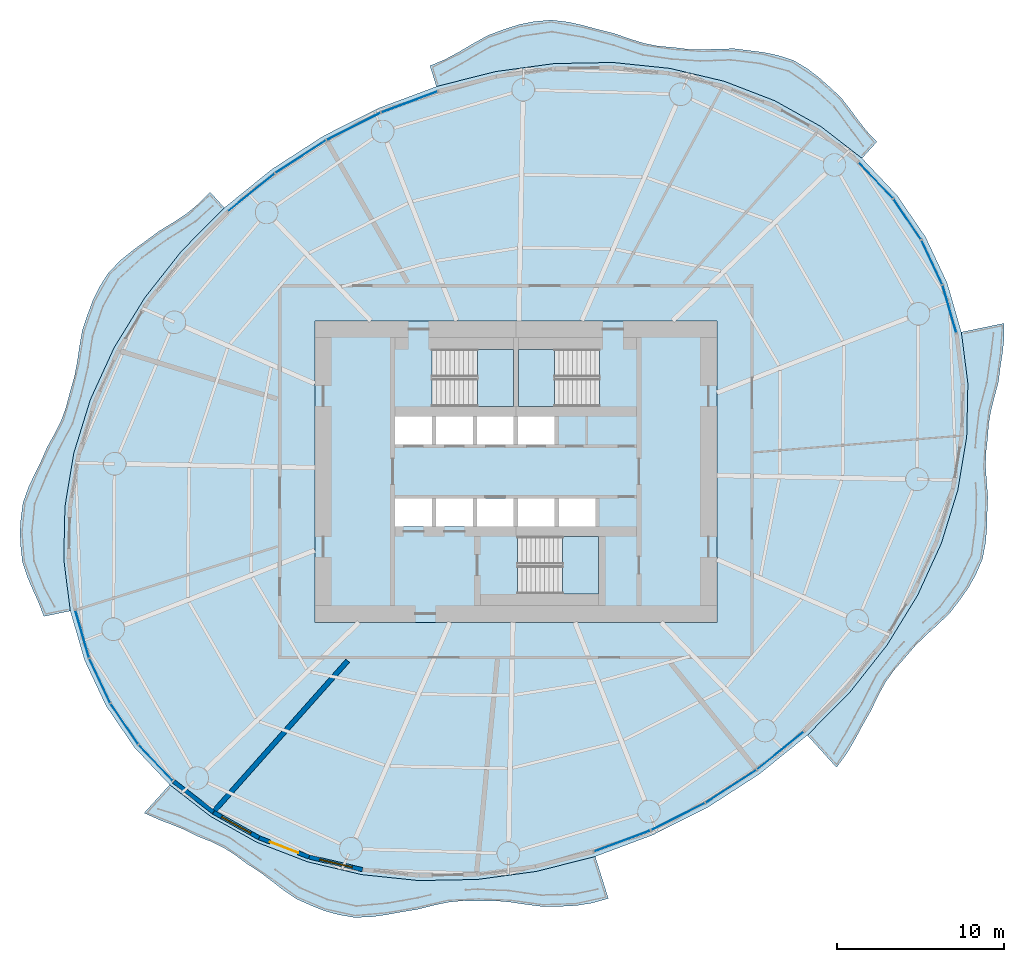
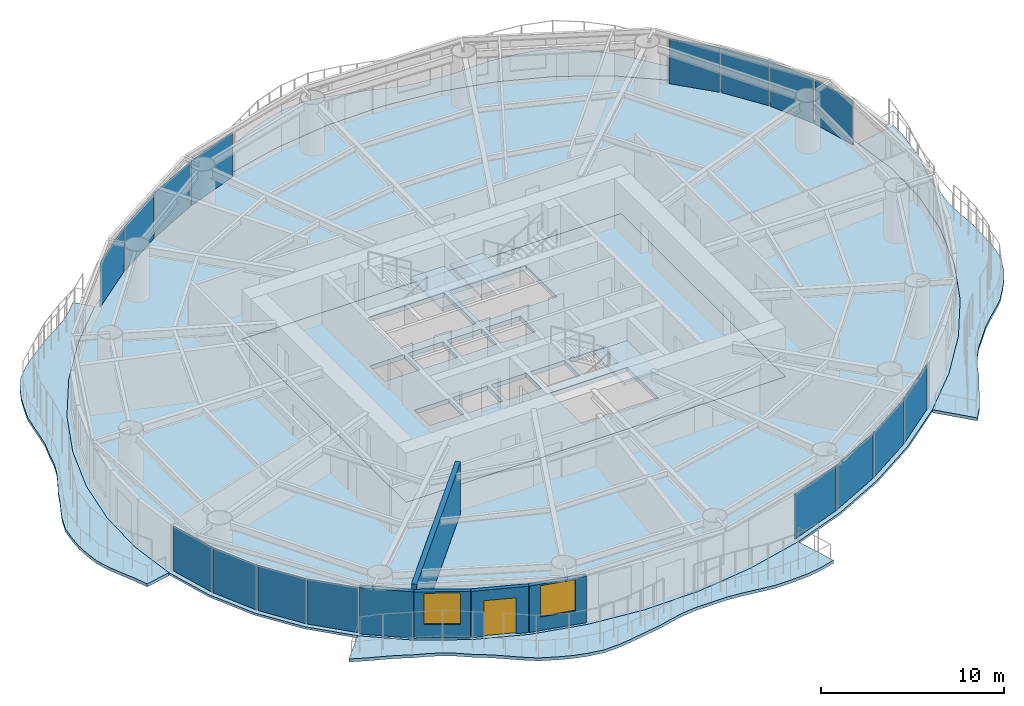
# One storey, part 7 of 15: 16 plates, 9 slabs, 5 walls, 2 windows, 1 door, 3 openings, 19 elements without a shape of their own.
"""IFC4 building model written with IfcOpenShell, lengths in metres."""

from ifc_helpers import new_model, si_unit, direction, frame, frame_2d, origin, origin_2d, place, context, subcontext, project, spatial, polyline, rectangle, outline, extrude, material, layer, layer_set, type_object, element, fill, aggregate, save


model = new_model("IFC4")

# Units and contexts
model_context = context("Model", 3, precision=1e-05, world=origin(), true_north=direction((0.0, 1.0)))
body_context = subcontext(model_context, "Body", "Model", "MODEL_VIEW")
ifc_project = project(units=[si_unit("LENGTHUNIT", "METRE"), si_unit("AREAUNIT", "SQUARE_METRE"), si_unit("VOLUMEUNIT", "CUBIC_METRE"), si_unit("PLANEANGLEUNIT", "RADIAN"), si_unit("MASSUNIT", "GRAM", prefix="KILO")], contexts=[model_context])

# Site, building, storey
site_placement = place(None, origin())
site = spatial("IfcSite", under=ifc_project, at=site_placement, CompositionType="ELEMENT")
building_placement = place(site_placement, origin())
building = spatial("IfcBuilding", under=site, at=building_placement, Name="Vermilion Reach Broadcast Tower", CompositionType="ELEMENT")
storey_placement = place(building_placement, frame((0.0, 0.0, 154.199951171875)))
storey = spatial("IfcBuildingStorey", under=building, at=storey_placement, Name="L36", CompositionType="ELEMENT", Elevation=154.199951171875)

# Slabs
ifc_material_1 = material(Name="Concrete C40/50", Category="concrete")
ifc_layer_1 = layer(ifc_material_1, 0.199951171875)
ifc_layer_set_1 = layer_set([ifc_layer_1], Name="Balcony slab 200")
slab_type_1 = type_object("IfcSlabType", Name="Balcony slab 200", PredefinedType="FLOOR", material=ifc_layer_set_1)
placement_1 = place(storey_placement, frame((0.0, 0.0, -0.199951171875)))
element("IfcSlab", 1, at=placement_1, inside=storey, type_object=slab_type_1, Name="Balcony slab L36 group 1", PredefinedType="FLOOR", context=body_context, shape_type="SweptSolid", body=[
    extrude(outline(polyline([(14.666259765625, 18.7021484375), (12.217529296875, 20.597412109375), (9.45703125, 22.14013671875), (6.43212890625, 23.303955078125), (3.194580078125, 24.0693359375), (-0.2001953125, 24.422607421875), (-3.6943359375, 24.358154296875), (-7.22802734375, 23.876708984375), (-10.74072265625, 22.987060546875), (-11.128173828125, 24.2265625), (-10.217041015625, 24.609130859375), (-9.394287109375, 25.050048828125), (-8.58203125, 25.53271484375), (-7.6494140625, 26.048095703125), (-6.67333984375, 26.41064453125), (-5.810791015625, 26.684326171875), (-4.935546875, 26.86328125), (-3.894775390625, 26.959228515625), (-2.866455078125, 26.838623046875), (-1.989013671875, 26.641357421875), (-1.110595703125, 26.40087890625), (-0.12646484375, 26.156005859375), (0.80419921875, 25.830810546875), (1.6357421875, 25.577392578125), (2.47607421875, 25.4072265625), (3.4072265625, 25.3232421875), (4.319580078125, 25.212890625), (5.169921875, 25.194580078125), (6.031982421875, 25.226806640625), (7.033447265625, 25.249267578125), (8.002685546875, 25.12890625), (8.829345703125, 25.021240234375), (9.63330078125, 24.854248046875), (10.5849609375, 24.544921875), (11.42431640625, 24.03955078125), (12.060546875, 23.557373046875), (12.664794921875, 23.01806640625), (13.384521484375, 22.362548828125), (13.9775390625, 21.606689453125), (14.451171875, 20.953857421875), (14.945556640625, 20.327880859375), (15.554931640625, 19.683349609375), (14.666259765625, 18.7021484375)])), origin(), (0.0, 0.0, 1.0), 0.199951171875),
])
element("IfcSlab", 2, at=placement_1, inside=storey, type_object=slab_type_1, Name="Balcony slab L36 group 2", PredefinedType="FLOOR", context=body_context, shape_type="SweptSolid", body=[
    extrude(outline(polyline([(-23.40576171875, 15.745361328125), (-25.954345703125, 13.16943359375), (-28.161376953125, 10.368408203125), (-29.9892578125, 7.389892578125), (-31.406982421875, 4.284912109375), (-32.3896484375, 1.1064453125), (-32.9208984375, -2.0908203125), (-32.991455078125, -5.252197265625), (-32.600341796875, -8.323974609375), (-34.177734375, -8.650146484375), (-34.510986328125, -7.786865234375), (-34.84228515625, -7.048583984375), (-35.160888671875, -6.308837890625), (-35.465087890625, -5.38134765625), (-35.571044921875, -4.40380859375), (-35.60498046875, -3.6123046875), (-35.556396484375, -2.82275390625), (-35.425048828125, -1.85595703125), (-35.084716796875, -0.909912109375), (-34.727783203125, -0.147705078125), (-34.352294921875, 0.611328125), (-33.970458984375, 1.48046875), (-33.503173828125, 2.3212890625), (-33.13427734375, 3.077880859375), (-32.8466796875, 3.859619140625), (-32.621826171875, 4.747802734375), (-32.357421875, 5.65673828125), (-32.19189453125, 6.519287109375), (-32.064697265625, 7.399169921875), (-31.89013671875, 8.402099609375), (-31.56494140625, 9.3818359375), (-31.25537109375, 10.217041015625), (-30.871337890625, 11.00634765625), (-30.322021484375, 11.874755859375), (-29.584716796875, 12.625), (-28.876708984375, 13.2021484375), (-28.12548828125, 13.745361328125), (-27.298828125, 14.357666015625), (-26.41259765625, 14.8974609375), (-25.642333984375, 15.40966796875), (-24.9375, 15.986572265625), (-24.25927734375, 16.68798828125), (-23.40576171875, 15.745361328125)])), origin(), (0.0, 0.0, 1.0), 0.199951171875),
])
element("IfcSlab", 3, at=placement_1, inside=storey, type_object=slab_type_1, Name="Balcony slab L36 group 3", PredefinedType="FLOOR", context=body_context, shape_type="SweptSolid", body=[
    extrude(outline(polyline([(-26.666259765625, -18.7021484375), (-24.217529296875, -20.597412109375), (-21.45703125, -22.14013671875), (-18.43212890625, -23.303955078125), (-15.194580078125, -24.0693359375), (-11.7998046875, -24.422607421875), (-8.3056640625, -24.358154296875), (-4.77197265625, -23.876708984375), (-1.25927734375, -22.987060546875), (-0.475830078125, -25.493408203125), (-1.48779296875, -25.77392578125), (-2.38671875, -25.9150390625), (-3.30859375, -25.96484375), (-4.36376953125, -25.979248046875), (-5.403076171875, -25.8486328125), (-6.3212890625, -25.713623046875), (-7.232666015625, -25.62890625), (-8.20703125, -25.635009765625), (-9.156005859375, -25.626953125), (-10.028076171875, -25.7177734375), (-10.898681640625, -25.897705078125), (-11.873291015625, -26.145263671875), (-12.853271484375, -26.301025390625), (-13.72802734375, -26.4638671875), (-14.598876953125, -26.588623046875), (-15.62841796875, -26.628662109375), (-16.61328125, -26.4560546875), (-17.415283203125, -26.23291015625), (-18.197265625, -25.92529296875), (-19.11474609375, -25.512451171875), (-19.933837890625, -24.949951171875), (-20.6015625, -24.42919921875), (-21.27490234375, -23.92236328125), (-22.057373046875, -23.420166015625), (-22.77734375, -22.881591796875), (-23.447265625, -22.4599609375), (-24.1572265625, -22.110107421875), (-24.997314453125, -21.776611328125), (-25.801513671875, -21.37939453125), (-26.5478515625, -21.07861328125), (-27.303955078125, -20.790771484375), (-28.192626953125, -20.387451171875), (-26.666259765625, -18.7021484375)])), origin(), (0.0, 0.0, 1.0), 0.199951171875),
])
element("IfcSlab", 4, at=placement_1, inside=storey, type_object=slab_type_1, Name="Balcony slab L36 group 4", PredefinedType="FLOOR", context=body_context, shape_type="SweptSolid", body=[
    extrude(outline(polyline([(11.40576171875, -15.745361328125), (13.954345703125, -13.16943359375), (16.161376953125, -10.368408203125), (17.9892578125, -7.389892578125), (19.406982421875, -4.284912109375), (20.3896484375, -1.1064453125), (20.9208984375, 2.0908203125), (20.991455078125, 5.252197265625), (20.600341796875, 8.323974609375), (23.14697265625, 8.8505859375), (23.14306640625, 7.867431640625), (23.05615234375, 7.075927734375), (22.932373046875, 6.27978515625), (22.81396484375, 5.347412109375), (22.568359375, 4.42626953125), (22.36767578125, 3.639892578125), (22.23046875, 2.852294921875), (22.168701171875, 1.973876953125), (22.06298828125, 1.07958984375), (22.05224609375, 0.260009765625), (22.106689453125, -0.5703125), (22.1826171875, -1.530517578125), (22.141357421875, -2.518798828125), (22.119384765625, -3.382568359375), (22.051025390625, -4.23193359375), (21.86279296875, -5.220703125), (21.46044921875, -6.160400390625), (21.041259765625, -6.906982421875), (20.5439453125, -7.617919921875), (19.932373046875, -8.424560546875), (19.182373046875, -9.14697265625), (18.50439453125, -9.756103515625), (17.859619140625, -10.385498046875), (17.235595703125, -11.117431640625), (16.591552734375, -11.84228515625), (16.0771484375, -12.572021484375), (15.63916015625, -13.362060546875), (15.20263671875, -14.272705078125), (14.690185546875, -15.171875), (14.24560546875, -16.00634765625), (13.773193359375, -16.8134765625), (13.147705078125, -17.669189453125), (11.40576171875, -15.745361328125)])), origin(), (0.0, 0.0, 1.0), 0.199951171875),
])
ifc_material_2 = material(Name="Concrete C40", Category="concrete")
ifc_layer_2 = layer(ifc_material_2, 0.300048828125)
ifc_layer_set_2 = layer_set([ifc_layer_2], Name="Core floor slab 300 mm Concrete C40")
slab_type_2 = type_object("IfcSlabType", Name="Core floor slab 300 mm Concrete C40", PredefinedType="FLOOR", material=ifc_layer_set_2)
slab_5_placement = place(storey_placement, frame((0.0, 0.0, -0.300048828125)))
element("IfcSlab", 5, at=slab_5_placement, inside=storey, type_object=slab_type_2, Name="L36 core floor", PredefinedType="FLOOR", context=body_context, shape_type="SweptSolid", body=[
    extrude(outline(polyline([(-18.0, -9.0), (6.0, -9.0), (6.0, 9.0), (-18.0, 9.0), (-18.0, -9.0)]), holes=[polyline([(-13.199951171875, 1.60009765625), (-11.00830078125, 1.60009765625), (-11.00830078125, 3.280029296875), (-13.199951171875, 3.280029296875), (-13.199951171875, 1.60009765625)]), polyline([(-10.75830078125, 1.60009765625), (-8.566650390625, 1.60009765625), (-8.566650390625, 3.280029296875), (-10.75830078125, 3.280029296875), (-10.75830078125, 1.60009765625)]), polyline([(-8.316650390625, 1.60009765625), (-6.125, 1.60009765625), (-6.125, 3.280029296875), (-8.316650390625, 3.280029296875), (-8.316650390625, 1.60009765625)]), polyline([(-5.875, 1.60009765625), (-3.683349609375, 1.60009765625), (-3.683349609375, 3.280029296875), (-5.875, 3.280029296875), (-5.875, 1.60009765625)]), polyline([(-13.199951171875, -3.280029296875), (-11.00830078125, -3.280029296875), (-11.00830078125, -1.60009765625), (-13.199951171875, -1.60009765625), (-13.199951171875, -3.280029296875)]), polyline([(-10.75830078125, -3.280029296875), (-8.566650390625, -3.280029296875), (-8.566650390625, -1.60009765625), (-10.75830078125, -1.60009765625), (-10.75830078125, -3.280029296875)]), polyline([(-8.316650390625, -3.280029296875), (-6.125, -3.280029296875), (-6.125, -1.60009765625), (-8.316650390625, -1.60009765625), (-8.316650390625, -3.280029296875)]), polyline([(-5.875, -3.280029296875), (-3.683349609375, -3.280029296875), (-3.683349609375, -1.60009765625), (-5.875, -1.60009765625), (-5.875, -3.280029296875)]), polyline([(-3.433349609375, -3.280029296875), (-1.24169921875, -3.280029296875), (-1.24169921875, -1.60009765625), (-3.433349609375, -1.60009765625), (-3.433349609375, -3.280029296875)]), polyline([(-10.999267578125, 3.8798828125), (-6.14990234375, 3.8798828125), (-6.14990234375, 7.300048828125), (-10.999267578125, 7.300048828125), (-10.999267578125, 3.8798828125)]), polyline([(-1.000732421875, 7.300048828125), (-5.85009765625, 7.300048828125), (-5.85009765625, 3.8798828125), (-1.000732421875, 3.8798828125), (-1.000732421875, 7.300048828125)]), polyline([(-5.8994140625, -7.300048828125), (-1.050048828125, -7.300048828125), (-1.050048828125, -3.8798828125), (-5.8994140625, -3.8798828125), (-5.8994140625, -7.300048828125)])]), origin(), (0.0, 0.0, 1.0), 0.300048828125),
])

# Stair, slab
ifc_material_3 = material(Name="Concrete C40", Category="concrete")
stair_type = type_object("IfcStairType", Name="Exit stair RC 22 risers 164 mm", PredefinedType="HALF_TURN_STAIR", material=ifc_material_3)
placement_2 = place(storey_placement, origin())
stair_1 = element("IfcStair", 6, at=placement_2, inside=storey, type_object=stair_type, Name="L36 Exit stair ST1", PredefinedType="HALF_TURN_STAIR")
ifc_material_4 = material(Name="Concrete C40", Category="concrete")
ifc_layer_3 = layer(ifc_material_4, 0.199951171875)
ifc_layer_set_3 = layer_set([ifc_layer_3], Name="Exit stair landing Concrete C40")
slab_type_3 = type_object("IfcSlabType", Name="Exit stair landing Concrete C40", PredefinedType="LANDING", material=ifc_layer_set_3)
placement_3 = place(storey_placement, frame((0.0, 0.0, 1.60009765625)))
slab_6 = element("IfcSlab", 7, at=placement_3, type_object=slab_type_3, Name="ST1 landing 1", PredefinedType="LANDING", context=body_context, shape_type="SweptSolid", body=[
    extrude(outline(polyline([(-8.300048828125, 3.8798828125), (-6.14990234375, 3.8798828125), (-6.14990234375, 7.300048828125), (-8.300048828125, 7.300048828125), (-8.300048828125, 3.8798828125)])), origin(), (0.0, 0.0, 1.0), 0.199951171875),
])
aggregate(stair_1, [slab_6])

stair_2 = element("IfcStair", 8, at=placement_2, inside=storey, type_object=stair_type, Name="L36 Exit stair ST2", PredefinedType="HALF_TURN_STAIR")
slab_7 = element("IfcSlab", 9, at=placement_3, type_object=slab_type_3, Name="ST2 landing 1", PredefinedType="LANDING", context=body_context, shape_type="SweptSolid", body=[
    extrude(outline(polyline([(-3.699951171875, 7.300048828125), (-5.85009765625, 7.300048828125), (-5.85009765625, 3.8798828125), (-3.699951171875, 3.8798828125), (-3.699951171875, 7.300048828125)])), origin(), (0.0, 0.0, 1.0), 0.199951171875),
])
aggregate(stair_2, [slab_7])

stair_3 = element("IfcStair", 10, at=placement_2, inside=storey, type_object=stair_type, Name="L36 Exit stair ST3", PredefinedType="HALF_TURN_STAIR")
slab_8 = element("IfcSlab", 11, at=placement_3, type_object=slab_type_3, Name="ST3 landing 1", PredefinedType="LANDING", context=body_context, shape_type="SweptSolid", body=[
    extrude(outline(polyline([(-3.199951171875, -7.300048828125), (-1.050048828125, -7.300048828125), (-1.050048828125, -3.8798828125), (-3.199951171875, -3.8798828125), (-3.199951171875, -7.300048828125)])), origin(), (0.0, 0.0, 1.0), 0.199951171875),
])
aggregate(stair_3, [slab_8])

# Slab
ifc_material_5 = material(Name="Concrete C40", Category="concrete")
ifc_layer_4 = layer(ifc_material_5, 0.14990234375)
ifc_layer_set_4 = layer_set([ifc_layer_4], Name="Floor slab Concrete C40 composite 150")
slab_type_4 = type_object("IfcSlabType", Name="Floor slab Concrete C40 composite 150", PredefinedType="FLOOR", material=ifc_layer_set_4)
slab_9_placement = place(storey_placement, frame((0.0, 0.0, -0.14990234375)))
element("IfcSlab", 12, at=slab_9_placement, inside=storey, type_object=slab_type_4, Name="Floor slab L36", PredefinedType="FLOOR", context=body_context, shape_type="SweptSolid", body=[
    extrude(outline(polyline([(18.467041015625, 13.98974609375), (16.76123046875, 16.487060546875), (14.666259765625, 18.7021484375), (12.217529296875, 20.597412109375), (9.45703125, 22.14013671875), (6.43212890625, 23.303955078125), (3.194580078125, 24.0693359375), (-0.2001953125, 24.422607421875), (-3.6943359375, 24.358154296875), (-7.22802734375, 23.876708984375), (-10.74072265625, 22.987060546875), (-14.172119140625, 21.703857421875), (-17.4638671875, 20.04931640625), (-20.559326171875, 18.0517578125), (-23.40576171875, 15.745361328125), (-25.954345703125, 13.16943359375), (-28.161376953125, 10.368408203125), (-29.9892578125, 7.389892578125), (-31.406982421875, 4.284912109375), (-32.3896484375, 1.1064453125), (-32.9208984375, -2.0908203125), (-32.991455078125, -5.252197265625), (-32.600341796875, -8.323974609375), (-31.75390625, -11.2529296875), (-30.467041015625, -13.98974609375), (-28.76123046875, -16.487060546875), (-26.666259765625, -18.7021484375), (-24.217529296875, -20.597412109375), (-21.45703125, -22.14013671875), (-18.43212890625, -23.303955078125), (-15.194580078125, -24.0693359375), (-11.7998046875, -24.422607421875), (-8.3056640625, -24.358154296875), (-4.77197265625, -23.876708984375), (-1.25927734375, -22.987060546875), (2.172119140625, -21.703857421875), (5.4638671875, -20.04931640625), (8.559326171875, -18.0517578125), (11.40576171875, -15.745361328125), (13.954345703125, -13.16943359375), (16.161376953125, -10.368408203125), (17.9892578125, -7.389892578125), (19.406982421875, -4.284912109375), (20.3896484375, -1.1064453125), (20.9208984375, 2.0908203125), (20.991455078125, 5.252197265625), (20.600341796875, 8.323974609375), (19.75390625, 11.2529296875), (18.467041015625, 13.98974609375)]), holes=[polyline([(-18.0, -9.0), (6.0, -9.0), (6.0, 9.0), (-18.0, 9.0), (-18.0, -9.0)])]), origin(), (0.0, 0.0, 1.0), 0.14990234375),
])

# Curtain wall, plate
ifc_material_6 = material(Name="Low-e laminated clear glass in aluminium frame", Category="aluminium")
curtain_wall_type = type_object("IfcCurtainWallType", Name="Slot curtain wall", PredefinedType="NOTDEFINED", material=ifc_material_6)
curtain_wall_1 = element("IfcCurtainWall", 13, at=placement_2, inside=storey, type_object=curtain_wall_type, Name="Slot curtain wall L36 46", PredefinedType="NOTDEFINED")
ifc_material_7 = material(Name="Low-e laminated clear glass", Category="glass")
ifc_layer_5 = layer(ifc_material_7, 0.028076171875)
ifc_layer_set_5 = layer_set([ifc_layer_5], Name="Slot glass panel")
plate_type = type_object("IfcPlateType", Name="Slot glass panel", PredefinedType="CURTAIN_PANEL", material=ifc_layer_set_5)
plate_1_placement = place(storey_placement, frame((19.889892578125, 9.705322265625, 0.0), z_axis=(0.0, 0.0, 1.0), x_axis=(-0.277573936568, 0.960704277985, 0.0)))
plate_1 = element("IfcPlate", 14, at=plate_1_placement, type_object=plate_type, Name="Slot glass panel L36 46", PredefinedType="CURTAIN_PANEL", context=body_context, shape_type="SweptSolid", body=[
    extrude(rectangle(XDim=2.922119140625, YDim=0.028076171875, at=origin_2d()), origin(), (0.0, 0.0, 1.0), 3.0),
])
aggregate(curtain_wall_1, [plate_1])

curtain_wall_2 = element("IfcCurtainWall", 15, at=placement_2, inside=storey, type_object=curtain_wall_type, Name="Slot curtain wall L36 47", PredefinedType="NOTDEFINED")
plate_2_placement = place(storey_placement, frame((18.83984375, 12.494140625, 0.0), z_axis=(0.0, 0.0, 1.0), x_axis=(-0.425570389789, 0.904925324729, 0.0)))
plate_2 = element("IfcPlate", 16, at=plate_2_placement, type_object=plate_type, Name="Slot glass panel L36 47", PredefinedType="CURTAIN_PANEL", context=body_context, shape_type="SweptSolid", body=[
    extrude(rectangle(XDim=2.896484375, YDim=0.028076171875, at=origin_2d()), origin(), (0.0, 0.0, 1.0), 3.0),
])
aggregate(curtain_wall_2, [plate_2])

curtain_wall_3 = element("IfcCurtainWall", 17, at=placement_2, inside=storey, type_object=curtain_wall_type, Name="Slot curtain wall L36 00", PredefinedType="NOTDEFINED")
plate_3_placement = place(storey_placement, frame((17.3671875, 15.06982421875, 0.0), z_axis=(0.0, 0.0, 1.0), x_axis=(-0.564005087964, 0.825771312623, 0.0)))
plate_3 = element("IfcPlate", 18, at=plate_3_placement, type_object=plate_type, Name="Slot glass panel L36 00", PredefinedType="CURTAIN_PANEL", context=body_context, shape_type="SweptSolid", body=[
    extrude(rectangle(XDim=2.896484375, YDim=0.028076171875, at=origin_2d()), origin(), (0.0, 0.0, 1.0), 3.0),
])
aggregate(curtain_wall_3, [plate_3])

curtain_wall_4 = element("IfcCurtainWall", 19, at=placement_2, inside=storey, type_object=curtain_wall_type, Name="Slot curtain wall L36 01", PredefinedType="NOTDEFINED")
plate_4_placement = place(storey_placement, frame((15.496337890625, 17.38916015625, 0.0), z_axis=(0.0, 0.0, 1.0), x_axis=(-0.687144845691, 0.726520447779, 0.0)))
plate_4 = element("IfcPlate", 20, at=plate_4_placement, type_object=plate_type, Name="Slot glass panel L36 01", PredefinedType="CURTAIN_PANEL", context=body_context, shape_type="SweptSolid", body=[
    extrude(rectangle(XDim=2.922119140625, YDim=0.028076171875, at=origin_2d()), origin(), (0.0, 0.0, 1.0), 3.0),
])
aggregate(curtain_wall_4, [plate_4])

curtain_wall_5 = element("IfcCurtainWall", 21, at=placement_2, inside=storey, type_object=curtain_wall_type, Name="Slot curtain wall L36 10", PredefinedType="NOTDEFINED")
plate_5_placement = place(storey_placement, frame((-12.3515625, 22.064697265625, 0.0), z_axis=(0.0, 0.0, 1.0), x_axis=(-0.936657166036, -0.350247560039, 0.0)))
plate_5 = element("IfcPlate", 22, at=plate_5_placement, type_object=plate_type, Name="Slot glass panel L36 10", PredefinedType="CURTAIN_PANEL", context=body_context, shape_type="SweptSolid", body=[
    extrude(rectangle(XDim=3.551025390625, YDim=0.028076171875, at=origin_2d()), origin(), (0.0, 0.0, 1.0), 3.0),
])
aggregate(curtain_wall_5, [plate_5])

curtain_wall_6 = element("IfcCurtainWall", 23, at=placement_2, inside=storey, type_object=curtain_wall_type, Name="Slot curtain wall L36 11", PredefinedType="NOTDEFINED")
plate_6_placement = place(storey_placement, frame((-15.683349609375, 20.60888671875, 0.0), z_axis=(0.0, 0.0, 1.0), x_axis=(-0.893483601462, -0.449095818192, 0.0)))
plate_6 = element("IfcPlate", 24, at=plate_6_placement, type_object=plate_type, Name="Slot glass panel L36 11", PredefinedType="CURTAIN_PANEL", context=body_context, shape_type="SweptSolid", body=[
    extrude(rectangle(XDim=3.57177734375, YDim=0.028076171875, at=origin_2d()), origin(), (0.0, 0.0, 1.0), 3.0),
])
aggregate(curtain_wall_6, [plate_6])

curtain_wall_7 = element("IfcCurtainWall", 25, at=placement_2, inside=storey, type_object=curtain_wall_type, Name="Slot curtain wall L36 12", PredefinedType="NOTDEFINED")
plate_7_placement = place(storey_placement, frame((-18.84912109375, 18.798828125, 0.0), z_axis=(0.0, 0.0, 1.0), x_axis=(-0.840241993772, -0.542211574851, 0.0)))
plate_7 = element("IfcPlate", 26, at=plate_7_placement, type_object=plate_type, Name="Slot glass panel L36 12", PredefinedType="CURTAIN_PANEL", context=body_context, shape_type="SweptSolid", body=[
    extrude(rectangle(XDim=3.57177734375, YDim=0.028076171875, at=origin_2d()), origin(), (0.0, 0.0, 1.0), 3.0),
])
aggregate(curtain_wall_7, [plate_7])

curtain_wall_8 = element("IfcCurtainWall", 27, at=placement_2, inside=storey, type_object=curtain_wall_type, Name="Slot curtain wall L36 13", PredefinedType="NOTDEFINED")
plate_8_placement = place(storey_placement, frame((-21.7939453125, 16.665771484375, 0.0), z_axis=(0.0, 0.0, 1.0), x_axis=(-0.776953139042, -0.629558432342, 0.0)))
plate_8 = element("IfcPlate", 28, at=plate_8_placement, type_object=plate_type, Name="Slot glass panel L36 13", PredefinedType="CURTAIN_PANEL", context=body_context, shape_type="SweptSolid", body=[
    extrude(rectangle(XDim=3.551025390625, YDim=0.028076171875, at=origin_2d()), origin(), (0.0, 0.0, 1.0), 3.0),
])
aggregate(curtain_wall_8, [plate_8])

curtain_wall_9 = element("IfcCurtainWall", 29, at=placement_2, inside=storey, type_object=curtain_wall_type, Name="Slot curtain wall L36 22", PredefinedType="NOTDEFINED")
plate_9_placement = place(storey_placement, frame((-31.889892578125, -9.705322265625, 0.0), z_axis=(0.0, 0.0, 1.0), x_axis=(0.277573936568, -0.960704277985, 0.0)))
plate_9 = element("IfcPlate", 30, at=plate_9_placement, type_object=plate_type, Name="Slot glass panel L36 22", PredefinedType="CURTAIN_PANEL", context=body_context, shape_type="SweptSolid", body=[
    extrude(rectangle(XDim=2.922119140625, YDim=0.028076171875, at=origin_2d()), origin(), (0.0, 0.0, 1.0), 3.0),
])
aggregate(curtain_wall_9, [plate_9])

curtain_wall_10 = element("IfcCurtainWall", 31, at=placement_2, inside=storey, type_object=curtain_wall_type, Name="Slot curtain wall L36 23", PredefinedType="NOTDEFINED")
plate_10_placement = place(storey_placement, frame((-30.83984375, -12.494140625, 0.0), z_axis=(0.0, 0.0, 1.0), x_axis=(0.425570389789, -0.904925324729, 0.0)))
plate_10 = element("IfcPlate", 32, at=plate_10_placement, type_object=plate_type, Name="Slot glass panel L36 23", PredefinedType="CURTAIN_PANEL", context=body_context, shape_type="SweptSolid", body=[
    extrude(rectangle(XDim=2.896484375, YDim=0.028076171875, at=origin_2d()), origin(), (0.0, 0.0, 1.0), 3.0),
])
aggregate(curtain_wall_10, [plate_10])

curtain_wall_11 = element("IfcCurtainWall", 33, at=placement_2, inside=storey, type_object=curtain_wall_type, Name="Slot curtain wall L36 24", PredefinedType="NOTDEFINED")
plate_11_placement = place(storey_placement, frame((-29.3671875, -15.06982421875, 0.0), z_axis=(0.0, 0.0, 1.0), x_axis=(0.564005087964, -0.825771312623, 0.0)))
plate_11 = element("IfcPlate", 34, at=plate_11_placement, type_object=plate_type, Name="Slot glass panel L36 24", PredefinedType="CURTAIN_PANEL", context=body_context, shape_type="SweptSolid", body=[
    extrude(rectangle(XDim=2.896484375, YDim=0.028076171875, at=origin_2d()), origin(), (0.0, 0.0, 1.0), 3.0),
])
aggregate(curtain_wall_11, [plate_11])

curtain_wall_12 = element("IfcCurtainWall", 35, at=placement_2, inside=storey, type_object=curtain_wall_type, Name="Slot curtain wall L36 25", PredefinedType="NOTDEFINED")
plate_12_placement = place(storey_placement, frame((-27.496337890625, -17.38916015625, 0.0), z_axis=(0.0, 0.0, 1.0), x_axis=(0.687144845691, -0.726520447779, 0.0)))
plate_12 = element("IfcPlate", 36, at=plate_12_placement, type_object=plate_type, Name="Slot glass panel L36 25", PredefinedType="CURTAIN_PANEL", context=body_context, shape_type="SweptSolid", body=[
    extrude(rectangle(XDim=2.922119140625, YDim=0.028076171875, at=origin_2d()), origin(), (0.0, 0.0, 1.0), 3.0),
])
aggregate(curtain_wall_12, [plate_12])

curtain_wall_13 = element("IfcCurtainWall", 37, at=placement_2, inside=storey, type_object=curtain_wall_type, Name="Slot curtain wall L36 34", PredefinedType="NOTDEFINED")
plate_13_placement = place(storey_placement, frame((0.3515625, -22.064697265625, 0.0), z_axis=(0.0, 0.0, 1.0), x_axis=(0.936657166036, 0.350247560039, 0.0)))
plate_13 = element("IfcPlate", 38, at=plate_13_placement, type_object=plate_type, Name="Slot glass panel L36 34", PredefinedType="CURTAIN_PANEL", context=body_context, shape_type="SweptSolid", body=[
    extrude(rectangle(XDim=3.551025390625, YDim=0.028076171875, at=origin_2d()), origin(), (0.0, 0.0, 1.0), 3.0),
])
aggregate(curtain_wall_13, [plate_13])

curtain_wall_14 = element("IfcCurtainWall", 39, at=placement_2, inside=storey, type_object=curtain_wall_type, Name="Slot curtain wall L36 35", PredefinedType="NOTDEFINED")
plate_14_placement = place(storey_placement, frame((3.683349609375, -20.60888671875, 0.0), z_axis=(0.0, 0.0, 1.0), x_axis=(0.893483601462, 0.449095818192, 0.0)))
plate_14 = element("IfcPlate", 40, at=plate_14_placement, type_object=plate_type, Name="Slot glass panel L36 35", PredefinedType="CURTAIN_PANEL", context=body_context, shape_type="SweptSolid", body=[
    extrude(rectangle(XDim=3.57177734375, YDim=0.028076171875, at=origin_2d()), origin(), (0.0, 0.0, 1.0), 3.0),
])
aggregate(curtain_wall_14, [plate_14])

curtain_wall_15 = element("IfcCurtainWall", 41, at=placement_2, inside=storey, type_object=curtain_wall_type, Name="Slot curtain wall L36 36", PredefinedType="NOTDEFINED")
plate_15_placement = place(storey_placement, frame((6.84912109375, -18.798828125, 0.0), z_axis=(0.0, 0.0, 1.0), x_axis=(0.840241993772, 0.542211574851, 0.0)))
plate_15 = element("IfcPlate", 42, at=plate_15_placement, type_object=plate_type, Name="Slot glass panel L36 36", PredefinedType="CURTAIN_PANEL", context=body_context, shape_type="SweptSolid", body=[
    extrude(rectangle(XDim=3.57177734375, YDim=0.028076171875, at=origin_2d()), origin(), (0.0, 0.0, 1.0), 3.0),
])
aggregate(curtain_wall_15, [plate_15])

curtain_wall_16 = element("IfcCurtainWall", 43, at=placement_2, inside=storey, type_object=curtain_wall_type, Name="Slot curtain wall L36 37", PredefinedType="NOTDEFINED")
plate_16_placement = place(storey_placement, frame((9.7939453125, -16.665771484375, 0.0), z_axis=(0.0, 0.0, 1.0), x_axis=(0.776953139042, 0.629558432342, 0.0)))
plate_16 = element("IfcPlate", 44, at=plate_16_placement, type_object=plate_type, Name="Slot glass panel L36 37", PredefinedType="CURTAIN_PANEL", context=body_context, shape_type="SweptSolid", body=[
    extrude(rectangle(XDim=3.551025390625, YDim=0.028076171875, at=origin_2d()), origin(), (0.0, 0.0, 1.0), 3.0),
])
aggregate(curtain_wall_16, [plate_16])

# Walls
ifc_material_8 = material(Name="Double-leaf plasterboard on isolated steel stud", Category="steel")
ifc_layer_6 = layer(ifc_material_8, 0.300048828125)
ifc_layer_set_6 = layer_set([ifc_layer_6], Name="Partition 300 acoustic double leaf")
wall_type_1 = type_object("IfcWallType", Name="Partition 300 acoustic double leaf", PredefinedType="PARTITIONING", material=ifc_layer_set_6)
wall_1_placement = place(storey_placement, frame((-23.9833984375, -20.24267578125, 0.0), z_axis=(0.0, 0.0, 1.0), x_axis=(0.664148461509, 0.747600709654, 0.0)))
element("IfcWall", 45, at=wall_1_placement, inside=storey, type_object=wall_type_1, Name="Partition 36.06", PredefinedType="PARTITIONING", context=body_context, shape_type="SweptSolid", body=[
    extrude(rectangle(XDim=11.96240234375, YDim=0.300048828125, at=frame_2d((5.981201171875, 0.0))), origin(), (0.0, 0.0, 1.0), 3.449951171875),
])
ifc_material_9 = material(Name="Terracotta rainscreen cladding", Category="masonry")
ifc_layer_7 = layer(ifc_material_9, 0.25)
ifc_layer_set_7 = layer_set([ifc_layer_7], Name="Terracotta rainscreen wall 250")
wall_type_2 = type_object("IfcWallType", Name="Terracotta rainscreen wall 250", PredefinedType="SOLIDWALL", material=ifc_layer_set_7)
wall_2_placement = place(storey_placement, frame((-26.42138671875, -18.513427734375, 0.0), z_axis=(0.0, 0.0, 1.0), x_axis=(0.790822117726, -0.612046058818, 0.0)))
element("IfcWall", 46, at=wall_2_placement, inside=storey, type_object=wall_type_2, Name="External wall L36 26", PredefinedType="SOLIDWALL", context=body_context, shape_type="SweptSolid", body=[
    extrude(rectangle(XDim=2.982421875, YDim=0.25, at=frame_2d((1.4912109375, 0.0))), origin(), (0.0, 0.0, 1.0), 3.10009765625),
])

# Wall, opening, window
wall_3_placement = place(storey_placement, frame((-24.04052734375, -20.353515625, 0.0), z_axis=(0.0, 0.0, 1.0), x_axis=(0.872921725824, -0.487860287976, 0.0)))
wall_3 = element("IfcWall", 47, at=wall_3_placement, inside=storey, type_object=wall_type_2, Name="External wall L36 27", PredefinedType="SOLIDWALL", context=body_context, shape_type="SweptSolid", body=[
    extrude(rectangle(XDim=3.09228515625, YDim=0.25, at=frame_2d((1.546142578125, 0.0))), origin(), (0.0, 0.0, 1.0), 3.10009765625),
])
opening_1_placement = place(wall_3_placement, frame((0.546142578125, 0.0, 0.89990234375)))
opening_1 = element("IfcOpeningElement", 48, at=opening_1_placement, cuts=wall_3, Name="Opening W03", PredefinedType="OPENING", context=body_context, shape_type="SweptSolid", body=[
    extrude(rectangle(XDim=2.0, YDim=2.10009765625, at=frame_2d((1.0, 1.050048828125))), frame((0.0, 0.135009765625, 0.0), z_axis=(0.0, -1.0, 0.0), x_axis=(1.0, 0.0, 0.0)), (0.0, 0.0, 1.0), 0.27001953125),
])
ifc_material_10 = material(Name="Low-e laminated clear glass in aluminium frame", Category="aluminium")
window_type = type_object("IfcWindowType", Name="Punched window 2000 x 2100 sill 900", PartitioningType="SINGLE_PANEL", PredefinedType="WINDOW", material=ifc_material_10)
window_1_placement = place(opening_1_placement, origin())
window_1 = element("IfcWindow", 49, at=window_1_placement, inside=storey, type_object=window_type, Name="Window L36 27", OverallHeight=2.10009765625, OverallWidth=2.0, PartitioningType="SINGLE_PANEL", PredefinedType="WINDOW", context=body_context, shape_type="SweptSolid", body=[
    extrude(rectangle(XDim=2.0, YDim=2.10009765625, at=frame_2d((1.0, 1.050048828125))), frame((0.0, 0.030029296875, 0.0), z_axis=(0.0, -1.0, 0.0), x_axis=(1.0, 0.0, 0.0)), (0.0, 0.0, 1.0), 0.06005859375),
])
fill(opening_1, window_1)

# Wall, opening, door
wall_4_placement = place(storey_placement, frame((-21.31787109375, -21.873046875, 0.0), z_axis=(0.0, 0.0, 1.0), x_axis=(0.933292072191, -0.359118236777, 0.0)))
wall_4 = element("IfcWall", 50, at=wall_4_placement, inside=storey, type_object=wall_type_2, Name="External wall L36 28", PredefinedType="SOLIDWALL", context=body_context, shape_type="SweptSolid", body=[
    extrude(rectangle(XDim=3.174072265625, YDim=0.25, at=frame_2d((1.5869140625, 0.0))), origin(), (0.0, 0.0, 1.0), 3.10009765625),
])
opening_2_placement = place(wall_4_placement, frame((0.68701171875, 0.0, 0.0)))
opening_2 = element("IfcOpeningElement", 51, at=opening_2_placement, cuts=wall_4, Name="Opening D70", PredefinedType="OPENING", context=body_context, shape_type="SweptSolid", body=[
    extrude(rectangle(XDim=1.800048828125, YDim=2.39990234375, at=frame_2d((0.89990234375, 1.199951171875))), frame((0.0, 0.135009765625, 0.0), z_axis=(0.0, -1.0, 0.0), x_axis=(1.0, 0.0, 0.0)), (0.0, 0.0, 1.0), 0.27001953125),
])
ifc_material_11 = material(Name="Low-e laminated clear glass in aluminium frame", Category="aluminium")
door_type = type_object("IfcDoorType", Name="Balcony sliding door 1800 x 2400", OperationType="DOUBLE_DOOR_SLIDING", PredefinedType="DOOR", material=ifc_material_11)
door_placement = place(opening_2_placement, origin())
door = element("IfcDoor", 52, at=door_placement, inside=storey, type_object=door_type, Name="Balcony door L36 run 07", OperationType="DOUBLE_DOOR_SLIDING", OverallHeight=2.39990234375, OverallWidth=1.800048828125, PredefinedType="DOOR", context=body_context, shape_type="SweptSolid", body=[
    extrude(rectangle(XDim=1.800048828125, YDim=2.39990234375, at=frame_2d((0.89990234375, 1.199951171875))), frame((0.0, 0.02490234375, 0.0), z_axis=(0.0, -1.0, 0.0), x_axis=(1.0, 0.0, 0.0)), (0.0, 0.0, 1.0), 0.050048828125),
])
fill(opening_2, door)

# Wall, opening, window
wall_5_placement = place(storey_placement, frame((-18.331787109375, -23.020263671875, 0.0), z_axis=(0.0, 0.0, 1.0), x_axis=(0.973203796477, -0.229944276993, 0.0)))
wall_5 = element("IfcWall", 53, at=wall_5_placement, inside=storey, type_object=wall_type_2, Name="External wall L36 29", PredefinedType="SOLIDWALL", context=body_context, shape_type="SweptSolid", body=[
    extrude(rectangle(XDim=3.2626953125, YDim=0.25, at=frame_2d((1.63134765625, 0.0))), origin(), (0.0, 0.0, 1.0), 3.10009765625),
])
opening_3_placement = place(wall_5_placement, frame((0.63134765625, 0.0, 0.89990234375)))
opening_3 = element("IfcOpeningElement", 54, at=opening_3_placement, cuts=wall_5, Name="Opening W03", PredefinedType="OPENING", context=body_context, shape_type="SweptSolid", body=[
    extrude(rectangle(XDim=2.0, YDim=2.10009765625, at=frame_2d((1.0, 1.050048828125))), frame((0.0, 0.135009765625, 0.0), z_axis=(0.0, -1.0, 0.0), x_axis=(1.0, 0.0, 0.0)), (0.0, 0.0, 1.0), 0.27001953125),
])
window_2_placement = place(opening_3_placement, origin())
window_2 = element("IfcWindow", 55, at=window_2_placement, inside=storey, type_object=window_type, Name="Window L36 29", OverallHeight=2.10009765625, OverallWidth=2.0, PartitioningType="SINGLE_PANEL", PredefinedType="WINDOW", context=body_context, shape_type="SweptSolid", body=[
    extrude(rectangle(XDim=2.0, YDim=2.10009765625, at=frame_2d((1.0, 1.050048828125))), frame((0.0, 0.030029296875, 0.0), z_axis=(0.0, -1.0, 0.0), x_axis=(1.0, 0.0, 0.0)), (0.0, 0.0, 1.0), 0.06005859375),
])
fill(opening_3, window_2)

save(model, "model.ifc")
